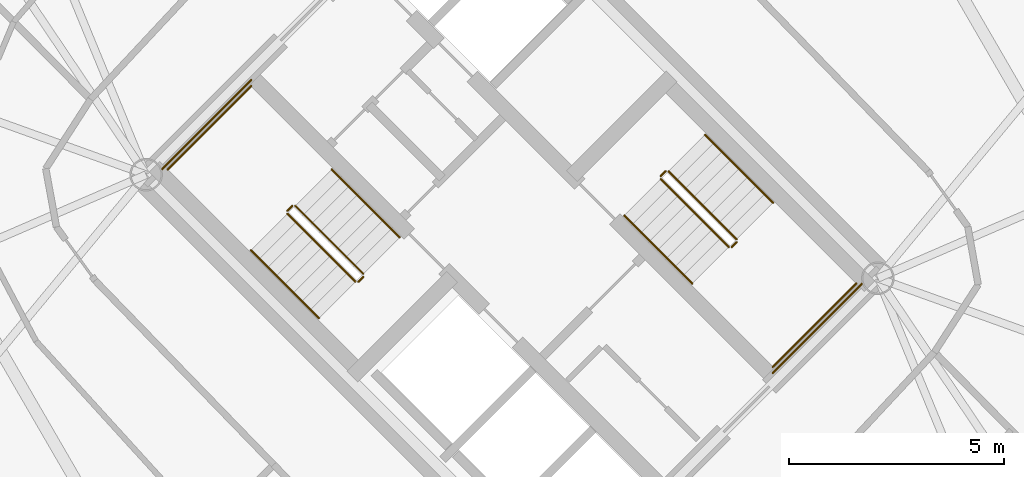
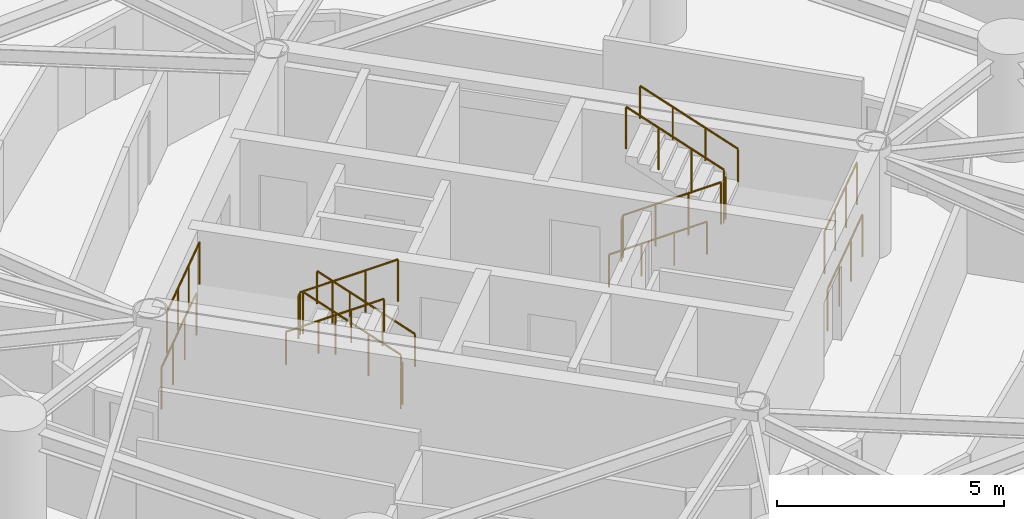
# One storey, part 17 of 18: 16 railings.
"""IFC4 building model written with IfcOpenShell, lengths in metres."""

import ifcopenshell
import ifcopenshell.guid

model = None  # the IFC model being written
_history = None  # IfcOwnerHistory: only IFC2X3 demands one
_inside = {}  # id of a spatial element -> (the spatial element, [elements in it])
_under = {}  # id of a project, library or spatial element -> (it, [spatial elements below it])
_declared = {}  # id of a project -> (the project, [libraries it declares])
_typed = {}  # id of a type object -> (the type object, [elements of that type])
_made_of = {}  # id of a material, layer set ... -> (it, [elements and type objects made of it])


def new_model(schema):
    """Start an empty IFC model of exactly this schema.

    Asked for "IFC4X3", IfcOpenShell would pick the latest addendum, in which some entities
    have other attributes; the version numbers below select the first issue.
    IFC2X3 requires an IfcOwnerHistory on every rooted entity: one is made here for all.
    """
    global model, _history
    if schema == "IFC4X3":
        model = ifcopenshell.file(schema_version=(4, 3, 0, 0))
    else:
        model = ifcopenshell.file(schema=schema)
    _inside.clear()
    _under.clear()
    _declared.clear()
    _typed.clear()
    _made_of.clear()
    _history = None
    if model.schema == "IFC2X3":
        org = make("IfcOrganization", Name="unknown")
        user = make(
            "IfcPersonAndOrganization",
            ThePerson=make("IfcPerson", FamilyName="unknown"),
            TheOrganization=org,
        )
        app = make(
            "IfcApplication",
            ApplicationDeveloper=org,
            Version="unknown",
            ApplicationFullName="unknown",
            ApplicationIdentifier="unknown",
        )
        _history = make(
            "IfcOwnerHistory",
            OwningUser=user,
            OwningApplication=app,
            ChangeAction="ADDED",
            CreationDate=0,
        )
    return model


def make(cls, **values):
    """One entity of the class cls with the attributes given. An attribute that is None is left unset."""
    return model.create_entity(
        cls, **{name: value for name, value in values.items() if value is not None}
    )


def rooted(cls, **values):
    """An entity with a GlobalId (a new one), such as an element, a storey or a relation."""
    return make(cls, GlobalId=ifcopenshell.guid.new(), OwnerHistory=_history, **values)


def si_unit(unit_type, name, prefix=None):
    """IfcSIUnit, for example si_unit("LENGTHUNIT", "METRE", prefix="MILLI")."""
    return make("IfcSIUnit", UnitType=unit_type, Prefix=prefix, Name=name)


def assignment(units):
    """IfcUnitAssignment: the units of a project."""
    return None if units is None else make("IfcUnitAssignment", Units=units)


def point(xyz):
    """IfcCartesianPoint."""
    return None if xyz is None else make("IfcCartesianPoint", Coordinates=xyz)


def direction(xyz):
    """IfcDirection."""
    return None if xyz is None else make("IfcDirection", DirectionRatios=xyz)


def frame(location, z_axis=None, x_axis=None):
    """IfcAxis2Placement3D, a coordinate frame: its origin and axes. An axis left out is left unset."""
    return make(
        "IfcAxis2Placement3D",
        Location=point(location),
        Axis=direction(z_axis),
        RefDirection=direction(x_axis),
    )


def frame_2d(location, x_axis=None):
    """IfcAxis2Placement2D, a coordinate frame in the plane: its origin and x axis."""
    return make(
        "IfcAxis2Placement2D", Location=point(location), RefDirection=direction(x_axis)
    )


def origin():
    """The frame at (0, 0, 0) with its axes left unset."""
    return frame((0.0, 0.0, 0.0))


def origin_2d():
    """The frame at (0, 0) in the plane with its x axis left unset."""
    return frame_2d((0.0, 0.0))


def place(relative_to, where):
    """IfcLocalPlacement: puts the frame where relative to a parent placement (None: the world)."""
    return make(
        "IfcLocalPlacement", PlacementRelTo=relative_to, RelativePlacement=where
    )


def context(
    kind, dimensions, precision=None, world=None, true_north=None, identifier=None
):
    """IfcGeometricRepresentationContext, for example the 3D "Model" context."""
    return make(
        "IfcGeometricRepresentationContext",
        ContextIdentifier=identifier,
        ContextType=kind,
        CoordinateSpaceDimension=dimensions,
        Precision=precision,
        WorldCoordinateSystem=world,
        TrueNorth=true_north,
    )


def subcontext(parent, identifier, kind, view, scale=None):
    """IfcGeometricRepresentationSubContext, for example "Body" below "Model"."""
    return make(
        "IfcGeometricRepresentationSubContext",
        ContextIdentifier=identifier,
        ContextType=kind,
        ParentContext=parent,
        TargetScale=scale,
        TargetView=view,
    )


def project(units=None, contexts=None):
    """IfcProject with its units and contexts."""
    return rooted(
        "IfcProject",
        Name="project",
        RepresentationContexts=contexts,
        UnitsInContext=assignment(units),
    )


def spatial(cls, under=None, at=None, **own):
    """A site, building, storey or space (cls), placed at a placement, below another one or the project."""
    s = rooted(cls, ObjectPlacement=at, **own)
    if under is not None:
        _under.setdefault(under.id(), (under, []))[1].append(s)
    return s


def profile(cls, at=None, kind="AREA", **sizes):
    """A parametric profile (cls). Its sizes go by their IFC names, for example OverallWidth=200.0."""
    return make(cls, ProfileType=kind, Position=at, **sizes)


def circle(**sizes):
    """IfcCircleProfileDef."""
    return profile("IfcCircleProfileDef", **sizes)


def extrude(swept, where, along, depth):
    """IfcExtrudedAreaSolid: the profile swept, set in the frame where, extruded along a direction by depth."""
    return make(
        "IfcExtrudedAreaSolid",
        SweptArea=swept,
        Position=where,
        ExtrudedDirection=direction(along),
        Depth=depth,
    )


def shape(context_of_items, identifier, shape_type, items):
    """IfcShapeRepresentation: the items that make up one representation, for example the "Body"."""
    return make(
        "IfcShapeRepresentation",
        ContextOfItems=context_of_items,
        RepresentationIdentifier=identifier,
        RepresentationType=shape_type,
        Items=items,
    )


def material(Name=None, Category=None):
    """IfcMaterial."""
    return make("IfcMaterial", Name=Name, Category=Category)


def made_of(thing, what):
    """Note that an element or type object is made of a material, layer set ...; save() writes the relation."""
    if what is not None:
        _made_of.setdefault(what.id(), (what, []))[1].append(thing)
    return thing


def type_object(cls, material=None, **own):
    """A type object (cls), such as IfcWallType, which elements share."""
    return made_of(rooted(cls, **own), material)


def element(
    cls,
    number,
    at=None,
    inside=None,
    cuts=None,
    type_object=None,
    material=None,
    context=None,
    identifier="Body",
    shape_type=None,
    held_by="IfcProductDefinitionShape",
    body=None,
    shapes=None,
    **own,
):
    """One element of the class cls, such as IfcWall. Its Tag is "e" and its number.

    at: its placement. inside: the storey or other place that contains it. cuts: it is an
    opening in that element (IfcRelVoidsElement). A single representation is given by context,
    identifier, shape_type and body (its items); several are given by shapes. held_by: the class
    of the entity that holds the representations. save() writes the other relations.
    """
    e = rooted(cls, Tag="e%d" % number, ObjectPlacement=at, **own)
    if body is not None:
        shapes = [shape(context, identifier, shape_type, body)]
    if shapes is not None:
        e.Representation = make(held_by, Representations=shapes)
    if inside is not None:
        _inside.setdefault(inside.id(), (inside, []))[1].append(e)
    if cuts is not None:
        rooted(
            "IfcRelVoidsElement", RelatingBuildingElement=cuts, RelatedOpeningElement=e
        )
    if type_object is not None:
        _typed.setdefault(type_object.id(), (type_object, []))[1].append(e)
    return made_of(e, material)


def aggregate(whole, parts):
    """IfcRelAggregates: a whole, such as a stair, and the parts it consists of."""
    return rooted("IfcRelAggregates", RelatingObject=whole, RelatedObjects=parts)


def save(model, path):
    """Write the relations noted so far, then the file.

    IfcRelAggregates (storeys below a building ...), IfcRelContainedInSpatialStructure (elements
    in a storey), IfcRelDefinesByType, IfcRelAssociatesMaterial and IfcRelDeclares: one each for
    every whole, place, type object, material and project.
    """
    for whole, parts in _under.values():
        aggregate(whole, parts)
    for where, things in _inside.values():
        rooted(
            "IfcRelContainedInSpatialStructure",
            RelatedElements=things,
            RelatingStructure=where,
        )
    for kind, things in _typed.values():
        rooted("IfcRelDefinesByType", RelatedObjects=things, RelatingType=kind)
    for what, things in _made_of.values():
        rooted("IfcRelAssociatesMaterial", RelatedObjects=things, RelatingMaterial=what)
    for by, libraries in _declared.values():
        rooted("IfcRelDeclares", RelatingContext=by, RelatedDefinitions=libraries)
    model.write(path)


model = new_model("IFC4")

# Units and contexts
model_context = context("Model", 3, precision=1e-05, world=origin(), true_north=direction((0.0, 1.0)))
body_context = subcontext(model_context, "Body", "Model", "MODEL_VIEW")
ifc_project = project(units=[si_unit("LENGTHUNIT", "METRE"), si_unit("AREAUNIT", "SQUARE_METRE"), si_unit("VOLUMEUNIT", "CUBIC_METRE"), si_unit("PLANEANGLEUNIT", "RADIAN"), si_unit("MASSUNIT", "GRAM", prefix="KILO")], contexts=[model_context])

# Site, building, storey
site_placement = place(None, origin())
site = spatial("IfcSite", under=ifc_project, at=site_placement, CompositionType="ELEMENT")
building_placement = place(site_placement, origin())
building = spatial("IfcBuilding", under=site, at=building_placement, Name="Cununo Teusaquillo Station Towers", CompositionType="ELEMENT")
storey_placement = place(building_placement, frame((0.0, 0.0, 87.610107421875)))
storey = spatial("IfcBuildingStorey", under=building, at=storey_placement, Name="L27", CompositionType="ELEMENT", Elevation=87.610107421875)

# Railings
ifc_material_1 = material(Name="Steel EN 10025-2 S355J2", Category="steel")
railing_type_1 = type_object("IfcRailingType", Name="RL-INT-GUARD", PredefinedType="GUARDRAIL", material=ifc_material_1)
railing_1_placement = place(storey_placement, frame((54.03515625, 23.39697265625, 0.16162109375)))
element("IfcRailing", 1, at=railing_1_placement, inside=storey, type_object=railing_type_1, Name="L27 ST-T2-1 stair guard 1", PredefinedType="GUARDRAIL", context=body_context, shape_type="SweptSolid", body=[
    extrude(circle(Radius=0.02392578125, at=origin_2d()), frame((0.0, 0.0, 1.1259765625), z_axis=(-0.612361259024, 0.612361259024, 0.500027376144), x_axis=(-0.707106781187, -0.707106781187, 0.0)), (0.0, 0.0, 1.0), 2.586181640625),
    extrude(circle(Radius=0.02099609375, at=origin_2d()), origin(), (0.0, 0.0, 1.0), 1.101806640625),
    extrude(circle(Radius=0.02099609375, at=origin_2d()), frame((-0.52783203125, 0.52783203125, 0.43115234375)), (0.0, 0.0, 1.0), 1.101806640625),
    extrude(circle(Radius=0.02099609375, at=origin_2d()), frame((-1.055908203125, 1.055908203125, 0.862060546875)), (0.0, 0.0, 1.0), 1.101806640625),
    extrude(circle(Radius=0.02099609375, at=origin_2d()), frame((-1.583740234375, 1.583740234375, 1.293212890625)), (0.0, 0.0, 1.0), 1.101806640625),
])
railing_2_placement = place(storey_placement, frame((52.380615234375, 24.980712890625, 1.454833984375)))
element("IfcRailing", 2, at=railing_2_placement, inside=storey, type_object=railing_type_1, Name="L27 ST-T2-1 stair guard 2", PredefinedType="GUARDRAIL", context=body_context, shape_type="SweptSolid", body=[
    extrude(circle(Radius=0.02392578125, at=origin_2d()), frame((0.0, 0.0, 1.1259765625), z_axis=(-0.7078691598, -0.706343579714, 0.0), x_axis=(0.706343579714, -0.7078691598, 0.0)), (0.0, 0.0, 1.0), 0.159912109375),
    extrude(circle(Radius=0.02099609375, at=origin_2d()), origin(), (0.0, 0.0, 1.0), 1.101806640625),
    extrude(circle(Radius=0.02099609375, at=origin_2d()), frame((-0.11328125, -0.113037109375, 0.0)), (0.0, 0.0, 1.0), 1.101806640625),
])
railing_3_placement = place(storey_placement, frame((51.426025390625, 27.77392578125, 1.454833984375)))
element("IfcRailing", 3, at=railing_3_placement, inside=storey, type_object=railing_type_1, Name="L27 ST-T2-1 stair guard 3", PredefinedType="GUARDRAIL", context=body_context, shape_type="SweptSolid", body=[
    extrude(circle(Radius=0.02392578125, at=origin_2d()), frame((0.0, 0.0, 1.1259765625), z_axis=(-0.707106781187, -0.707106781187, 0.0), x_axis=(0.707106781187, -0.707106781187, 0.0)), (0.0, 0.0, 1.0), 2.760009765625),
    extrude(circle(Radius=0.02099609375, at=origin_2d()), origin(), (0.0, 0.0, 1.0), 1.101806640625),
    extrude(circle(Radius=0.02099609375, at=origin_2d()), frame((-0.650634765625, -0.650634765625, 0.0)), (0.0, 0.0, 1.0), 1.101806640625),
    extrude(circle(Radius=0.02099609375, at=origin_2d()), frame((-1.301025390625, -1.301025390625, 0.0)), (0.0, 0.0, 1.0), 1.101806640625),
    extrude(circle(Radius=0.02099609375, at=origin_2d()), frame((-1.95166015625, -1.95166015625, 0.0)), (0.0, 0.0, 1.0), 1.101806640625),
])
railing_4_placement = place(storey_placement, frame((52.267333984375, 24.796875, 1.616455078125)))
element("IfcRailing", 4, at=railing_4_placement, inside=storey, type_object=railing_type_1, Name="L27 ST-T2-1 stair guard 4", PredefinedType="GUARDRAIL", context=body_context, shape_type="SweptSolid", body=[
    extrude(circle(Radius=0.02392578125, at=origin_2d()), frame((0.0, 0.0, 1.1259765625), z_axis=(0.612391349474, -0.612296961165, 0.500069261639), x_axis=(0.707052281454, 0.707161276719, 0.0)), (0.0, 0.0, 1.0), 2.586669921875),
    extrude(circle(Radius=0.02099609375, at=origin_2d()), origin(), (0.0, 0.0, 1.0), 1.101806640625),
    extrude(circle(Radius=0.02099609375, at=origin_2d()), frame((0.528076171875, -0.52783203125, 0.43115234375)), (0.0, 0.0, 1.0), 1.101806640625),
    extrude(circle(Radius=0.02099609375, at=origin_2d()), frame((1.055908203125, -1.055908203125, 0.8623046875)), (0.0, 0.0, 1.0), 1.101806640625),
    extrude(circle(Radius=0.02099609375, at=origin_2d()), frame((1.583984375, -1.583740234375, 1.29345703125)), (0.0, 0.0, 1.0), 1.101806640625),
])
railing_5_placement = place(storey_placement, frame((54.03515625, 23.326171875, 0.0)))
element("IfcRailing", 5, at=railing_5_placement, inside=storey, type_object=railing_type_1, Name="L27 ST-T2-1 stair guard 5", PredefinedType="GUARDRAIL", context=body_context, shape_type="SweptSolid", body=[
    extrude(circle(Radius=0.02392578125, at=origin_2d()), frame((0.0, 0.0, 1.1259765625), z_axis=(-0.707106781187, -0.707106781187, 0.0), x_axis=(0.707106781187, -0.707106781187, 0.0)), (0.0, 0.0, 1.0), 0.159912109375),
    extrude(circle(Radius=0.02099609375, at=origin_2d()), origin(), (0.0, 0.0, 1.0), 1.101806640625),
    extrude(circle(Radius=0.02099609375, at=origin_2d()), frame((-0.113037109375, -0.113037109375, 0.0)), (0.0, 0.0, 1.0), 1.101806640625),
])
railing_6_placement = place(storey_placement, frame((51.426025390625, 27.915283203125, 0.0)))
element("IfcRailing", 6, at=railing_6_placement, inside=storey, type_object=railing_type_1, Name="L27 ST-T2-1 stair guard 6", PredefinedType="GUARDRAIL", context=body_context, shape_type="SweptSolid", body=[
    extrude(circle(Radius=0.02392578125, at=origin_2d()), frame((0.0, 0.0, 1.1259765625), z_axis=(-0.707106781187, -0.707106781187, 0.0), x_axis=(0.707106781187, -0.707106781187, 0.0)), (0.0, 0.0, 1.0), 2.9599609375),
    extrude(circle(Radius=0.02099609375, at=origin_2d()), origin(), (0.0, 0.0, 1.0), 1.101806640625),
    extrude(circle(Radius=0.02099609375, at=origin_2d()), frame((-0.69775390625, -0.69775390625, 0.0)), (0.0, 0.0, 1.0), 1.101806640625),
    extrude(circle(Radius=0.02099609375, at=origin_2d()), frame((-1.395263671875, -1.395263671875, 0.0)), (0.0, 0.0, 1.0), 1.101806640625),
    extrude(circle(Radius=0.02099609375, at=origin_2d()), frame((-2.093017578125, -2.093017578125, 0.0)), (0.0, 0.0, 1.0), 1.101806640625),
])
railing_7_placement = place(storey_placement, frame((60.96484375, 25.60302734375, 0.16162109375)))
element("IfcRailing", 7, at=railing_7_placement, inside=storey, type_object=railing_type_1, Name="L27 ST-T2-2 stair guard 1", PredefinedType="GUARDRAIL", context=body_context, shape_type="SweptSolid", body=[
    extrude(circle(Radius=0.02392578125, at=origin_2d()), frame((0.0, 0.0, 1.1259765625), z_axis=(0.612361259024, -0.612361259024, 0.500027376144), x_axis=(0.707106781187, 0.707106781187, 0.0)), (0.0, 0.0, 1.0), 2.586181640625),
    extrude(circle(Radius=0.02099609375, at=origin_2d()), origin(), (0.0, 0.0, 1.0), 1.101806640625),
    extrude(circle(Radius=0.02099609375, at=origin_2d()), frame((0.52783203125, -0.52783203125, 0.43115234375)), (0.0, 0.0, 1.0), 1.101806640625),
    extrude(circle(Radius=0.02099609375, at=origin_2d()), frame((1.055908203125, -1.055908203125, 0.862060546875)), (0.0, 0.0, 1.0), 1.101806640625),
    extrude(circle(Radius=0.02099609375, at=origin_2d()), frame((1.583740234375, -1.583740234375, 1.293212890625)), (0.0, 0.0, 1.0), 1.101806640625),
])
railing_8_placement = place(storey_placement, frame((62.619384765625, 24.019287109375, 1.454833984375)))
element("IfcRailing", 8, at=railing_8_placement, inside=storey, type_object=railing_type_1, Name="L27 ST-T2-2 stair guard 2", PredefinedType="GUARDRAIL", context=body_context, shape_type="SweptSolid", body=[
    extrude(circle(Radius=0.02392578125, at=origin_2d()), frame((0.0, 0.0, 1.1259765625), z_axis=(0.7078691598, 0.706343579714, 0.0), x_axis=(-0.706343579714, 0.7078691598, 0.0)), (0.0, 0.0, 1.0), 0.159912109375),
    extrude(circle(Radius=0.02099609375, at=origin_2d()), origin(), (0.0, 0.0, 1.0), 1.101806640625),
    extrude(circle(Radius=0.02099609375, at=origin_2d()), frame((0.11328125, 0.113037109375, 0.0)), (0.0, 0.0, 1.0), 1.101806640625),
])
railing_9_placement = place(storey_placement, frame((63.573974609375, 21.22607421875, 1.454833984375)))
element("IfcRailing", 9, at=railing_9_placement, inside=storey, type_object=railing_type_1, Name="L27 ST-T2-2 stair guard 3", PredefinedType="GUARDRAIL", context=body_context, shape_type="SweptSolid", body=[
    extrude(circle(Radius=0.02392578125, at=origin_2d()), frame((0.0, 0.0, 1.1259765625), z_axis=(0.707106781187, 0.707106781187, 0.0), x_axis=(-0.707106781187, 0.707106781187, 0.0)), (0.0, 0.0, 1.0), 2.760009765625),
    extrude(circle(Radius=0.02099609375, at=origin_2d()), origin(), (0.0, 0.0, 1.0), 1.101806640625),
    extrude(circle(Radius=0.02099609375, at=origin_2d()), frame((0.650634765625, 0.650634765625, 0.0)), (0.0, 0.0, 1.0), 1.101806640625),
    extrude(circle(Radius=0.02099609375, at=origin_2d()), frame((1.301025390625, 1.301025390625, 0.0)), (0.0, 0.0, 1.0), 1.101806640625),
    extrude(circle(Radius=0.02099609375, at=origin_2d()), frame((1.95166015625, 1.95166015625, 0.0)), (0.0, 0.0, 1.0), 1.101806640625),
])
railing_10_placement = place(storey_placement, frame((62.732666015625, 24.203125, 1.616455078125)))
element("IfcRailing", 10, at=railing_10_placement, inside=storey, type_object=railing_type_1, Name="L27 ST-T2-2 stair guard 4", PredefinedType="GUARDRAIL", context=body_context, shape_type="SweptSolid", body=[
    extrude(circle(Radius=0.02392578125, at=origin_2d()), frame((0.0, 0.0, 1.1259765625), z_axis=(-0.612391349474, 0.612296961165, 0.500069261639), x_axis=(-0.707052281454, -0.707161276719, 0.0)), (0.0, 0.0, 1.0), 2.586669921875),
    extrude(circle(Radius=0.02099609375, at=origin_2d()), origin(), (0.0, 0.0, 1.0), 1.101806640625),
    extrude(circle(Radius=0.02099609375, at=origin_2d()), frame((-0.528076171875, 0.52783203125, 0.43115234375)), (0.0, 0.0, 1.0), 1.101806640625),
    extrude(circle(Radius=0.02099609375, at=origin_2d()), frame((-1.055908203125, 1.055908203125, 0.8623046875)), (0.0, 0.0, 1.0), 1.101806640625),
    extrude(circle(Radius=0.02099609375, at=origin_2d()), frame((-1.583984375, 1.583740234375, 1.29345703125)), (0.0, 0.0, 1.0), 1.101806640625),
])
railing_11_placement = place(storey_placement, frame((60.96484375, 25.673828125, 0.0)))
element("IfcRailing", 11, at=railing_11_placement, inside=storey, type_object=railing_type_1, Name="L27 ST-T2-2 stair guard 5", PredefinedType="GUARDRAIL", context=body_context, shape_type="SweptSolid", body=[
    extrude(circle(Radius=0.02392578125, at=origin_2d()), frame((0.0, 0.0, 1.1259765625), z_axis=(0.707106781187, 0.707106781187, 0.0), x_axis=(-0.707106781187, 0.707106781187, 0.0)), (0.0, 0.0, 1.0), 0.159912109375),
    extrude(circle(Radius=0.02099609375, at=origin_2d()), origin(), (0.0, 0.0, 1.0), 1.101806640625),
    extrude(circle(Radius=0.02099609375, at=origin_2d()), frame((0.113037109375, 0.113037109375, 0.0)), (0.0, 0.0, 1.0), 1.101806640625),
])
railing_12_placement = place(storey_placement, frame((63.573974609375, 21.084716796875, 0.0)))
element("IfcRailing", 12, at=railing_12_placement, inside=storey, type_object=railing_type_1, Name="L27 ST-T2-2 stair guard 6", PredefinedType="GUARDRAIL", context=body_context, shape_type="SweptSolid", body=[
    extrude(circle(Radius=0.02392578125, at=origin_2d()), frame((0.0, 0.0, 1.1259765625), z_axis=(0.707106781187, 0.707106781187, 0.0), x_axis=(-0.707106781187, 0.707106781187, 0.0)), (0.0, 0.0, 1.0), 2.9599609375),
    extrude(circle(Radius=0.02099609375, at=origin_2d()), origin(), (0.0, 0.0, 1.0), 1.101806640625),
    extrude(circle(Radius=0.02099609375, at=origin_2d()), frame((0.69775390625, 0.69775390625, 0.0)), (0.0, 0.0, 1.0), 1.101806640625),
    extrude(circle(Radius=0.02099609375, at=origin_2d()), frame((1.395263671875, 1.395263671875, 0.0)), (0.0, 0.0, 1.0), 1.101806640625),
    extrude(circle(Radius=0.02099609375, at=origin_2d()), frame((2.093017578125, 2.093017578125, 0.0)), (0.0, 0.0, 1.0), 1.101806640625),
])
ifc_material_2 = material(Name="Steel EN 10025-2 S355J2", Category="steel")
railing_type_2 = type_object("IfcRailingType", Name="RL-INT-HRAIL", PredefinedType="HANDRAIL", material=ifc_material_2)
railing_13_placement = place(storey_placement, frame((54.8837890625, 24.245361328125, 0.16162109375)))
element("IfcRailing", 13, at=railing_13_placement, inside=storey, type_object=railing_type_2, Name="L27 ST-T2-1 stair handrail 1", PredefinedType="HANDRAIL", context=body_context, shape_type="SweptSolid", body=[
    extrude(circle(Radius=0.02392578125, at=origin_2d()), frame((0.0, 0.0, 0.8759765625), z_axis=(-0.612384857071, 0.612384857071, 0.499969572735), x_axis=(-0.707106781187, -0.707106781187, 0.0)), (0.0, 0.0, 1.0), 2.586669921875),
    extrude(circle(Radius=0.02099609375, at=origin_2d()), origin(), (0.0, 0.0, 1.0), 0.851806640625),
    extrude(circle(Radius=0.02099609375, at=origin_2d()), frame((-0.528076171875, 0.528076171875, 0.43115234375)), (0.0, 0.0, 1.0), 0.851806640625),
    extrude(circle(Radius=0.02099609375, at=origin_2d()), frame((-1.055908203125, 1.055908203125, 0.862060546875)), (0.0, 0.0, 1.0), 0.851806640625),
    extrude(circle(Radius=0.02099609375, at=origin_2d()), frame((-1.583984375, 1.583984375, 1.293212890625)), (0.0, 0.0, 1.0), 0.851806640625),
])
railing_14_placement = place(storey_placement, frame((51.4189453125, 23.948486328125, 1.616455078125)))
element("IfcRailing", 14, at=railing_14_placement, inside=storey, type_object=railing_type_2, Name="L27 ST-T2-1 stair handrail 2", PredefinedType="HANDRAIL", context=body_context, shape_type="SweptSolid", body=[
    extrude(circle(Radius=0.02392578125, at=origin_2d()), frame((0.0, 0.0, 0.8759765625), z_axis=(0.612355957468, -0.612355957468, 0.500040361077), x_axis=(0.707106781187, 0.707106781187, 0.0)), (0.0, 0.0, 1.0), 2.586669921875),
    extrude(circle(Radius=0.02099609375, at=origin_2d()), origin(), (0.0, 0.0, 1.0), 0.851806640625),
    extrude(circle(Radius=0.02099609375, at=origin_2d()), frame((0.528076171875, -0.528076171875, 0.43115234375)), (0.0, 0.0, 1.0), 0.851806640625),
    extrude(circle(Radius=0.02099609375, at=origin_2d()), frame((1.055908203125, -1.055908203125, 0.8623046875)), (0.0, 0.0, 1.0), 0.851806640625),
    extrude(circle(Radius=0.02099609375, at=origin_2d()), frame((1.583984375, -1.583984375, 1.29345703125)), (0.0, 0.0, 1.0), 0.851806640625),
])
railing_15_placement = place(storey_placement, frame((60.1162109375, 24.754638671875, 0.16162109375)))
element("IfcRailing", 15, at=railing_15_placement, inside=storey, type_object=railing_type_2, Name="L27 ST-T2-2 stair handrail 1", PredefinedType="HANDRAIL", context=body_context, shape_type="SweptSolid", body=[
    extrude(circle(Radius=0.02392578125, at=origin_2d()), frame((0.0, 0.0, 0.8759765625), z_axis=(0.612384857071, -0.612384857071, 0.499969572735), x_axis=(0.707106781187, 0.707106781187, 0.0)), (0.0, 0.0, 1.0), 2.586669921875),
    extrude(circle(Radius=0.02099609375, at=origin_2d()), origin(), (0.0, 0.0, 1.0), 0.851806640625),
    extrude(circle(Radius=0.02099609375, at=origin_2d()), frame((0.528076171875, -0.528076171875, 0.43115234375)), (0.0, 0.0, 1.0), 0.851806640625),
    extrude(circle(Radius=0.02099609375, at=origin_2d()), frame((1.055908203125, -1.055908203125, 0.862060546875)), (0.0, 0.0, 1.0), 0.851806640625),
    extrude(circle(Radius=0.02099609375, at=origin_2d()), frame((1.583984375, -1.583984375, 1.293212890625)), (0.0, 0.0, 1.0), 0.851806640625),
])
railing_16_placement = place(storey_placement, frame((63.5810546875, 25.051513671875, 1.616455078125)))
element("IfcRailing", 16, at=railing_16_placement, inside=storey, type_object=railing_type_2, Name="L27 ST-T2-2 stair handrail 2", PredefinedType="HANDRAIL", context=body_context, shape_type="SweptSolid", body=[
    extrude(circle(Radius=0.02392578125, at=origin_2d()), frame((0.0, 0.0, 0.8759765625), z_axis=(-0.612355957468, 0.612355957468, 0.500040361077), x_axis=(-0.707106781187, -0.707106781187, 0.0)), (0.0, 0.0, 1.0), 2.586669921875),
    extrude(circle(Radius=0.02099609375, at=origin_2d()), origin(), (0.0, 0.0, 1.0), 0.851806640625),
    extrude(circle(Radius=0.02099609375, at=origin_2d()), frame((-0.528076171875, 0.528076171875, 0.43115234375)), (0.0, 0.0, 1.0), 0.851806640625),
    extrude(circle(Radius=0.02099609375, at=origin_2d()), frame((-1.055908203125, 1.055908203125, 0.8623046875)), (0.0, 0.0, 1.0), 0.851806640625),
    extrude(circle(Radius=0.02099609375, at=origin_2d()), frame((-1.583984375, 1.583984375, 1.29345703125)), (0.0, 0.0, 1.0), 0.851806640625),
])

save(model, "model.ifc")
